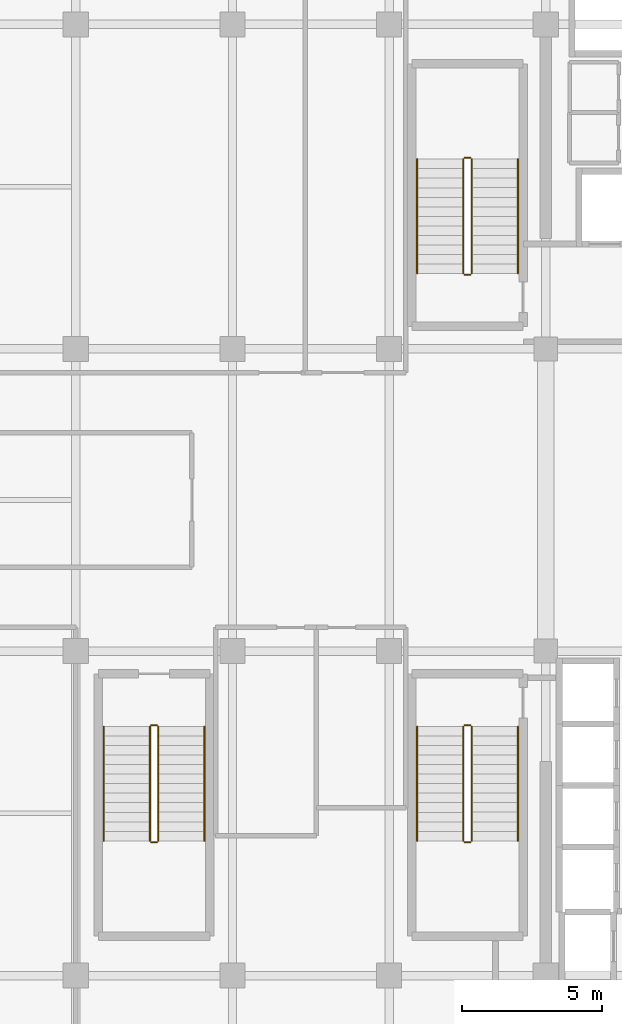
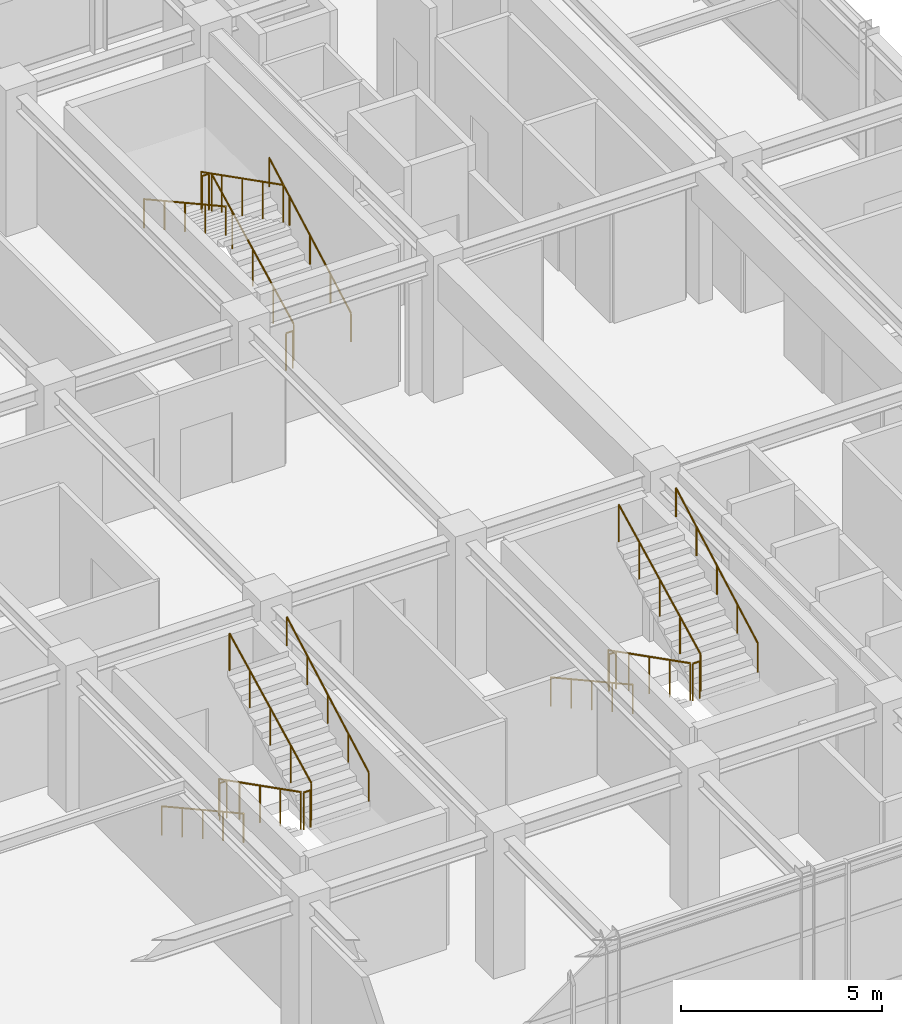
# One storey, part 20 of 20: 18 railings.
"""IFC4 building model written with IfcOpenShell, lengths in metres."""

from ifc_helpers import new_model, si_unit, direction, frame, origin, origin_2d, place, context, subcontext, project, spatial, circle, extrude, material, type_object, element, save


model = new_model("IFC4")

# Units and contexts
model_context = context("Model", 3, precision=1e-05, world=origin(), true_north=direction((0.0, 1.0)))
body_context = subcontext(model_context, "Body", "Model", "MODEL_VIEW")
ifc_project = project(units=[si_unit("LENGTHUNIT", "METRE"), si_unit("AREAUNIT", "SQUARE_METRE"), si_unit("VOLUMEUNIT", "CUBIC_METRE"), si_unit("PLANEANGLEUNIT", "RADIAN"), si_unit("MASSUNIT", "GRAM", prefix="KILO")], contexts=[model_context])

# Site, building, storey
site_placement = place(None, origin())
site = spatial("IfcSite", under=ifc_project, at=site_placement, CompositionType="ELEMENT")
building_placement = place(site_placement, origin())
building = spatial("IfcBuilding", under=site, at=building_placement, Name="Nahalor Promenade Grand Hotel", CompositionType="ELEMENT")
storey_placement = place(building_placement, frame((0.0, 0.0, 347.550048828125)))
storey = spatial("IfcBuildingStorey", under=building, at=storey_placement, Name="L89", CompositionType="ELEMENT", Elevation=347.550048828125)

# Railings
ifc_material = material(Name="Steel S355JR", Category="steel")
railing_type_1 = type_object("IfcRailingType", Name="Steel Stair Guardrail 1150 mm", PredefinedType="GUARDRAIL", material=ifc_material)
railing_1_placement = place(storey_placement, frame((5.75, 8.10009765625, 0.173095703125)))
element("IfcRailing", 1, at=railing_1_placement, inside=storey, type_object=railing_type_1, Name="L89 ST1 stair guard 1", PredefinedType="GUARDRAIL", context=body_context, shape_type="SweptSolid", body=[
    extrude(circle(Radius=0.024048, at=origin_2d()), frame((0.0, 0.0, 1.1259765625), z_axis=(0.0, 0.891172131844, 0.453665329759), x_axis=(-1.0, 0.0, 0.0)), (0.0, 0.0, 1.0), 4.578125),
    extrude(circle(Radius=0.020996, at=origin_2d()), origin(), (0.0, 0.0, 1.0), 1.099853515625),
    extrude(circle(Radius=0.020996, at=origin_2d()), frame((0.0, 1.02001953125, 0.519287109375)), (0.0, 0.0, 1.0), 1.099853515625),
    extrude(circle(Radius=0.020996, at=origin_2d()), frame((0.0, 2.0400390625, 1.03857421875)), (0.0, 0.0, 1.0), 1.099853515625),
    extrude(circle(Radius=0.020996, at=origin_2d()), frame((0.0, 3.059814453125, 1.5576171875)), (0.0, 0.0, 1.0), 1.099853515625),
    extrude(circle(Radius=0.020996, at=origin_2d()), frame((0.0, 4.079833984375, 2.076904296875)), (0.0, 0.0, 1.0), 1.099853515625),
])
railing_2_placement = place(storey_placement, frame((5.699951171875, 12.22998046875, 2.25)))
element("IfcRailing", 2, at=railing_2_placement, inside=storey, type_object=railing_type_1, Name="L89 ST1 stair guard 2", PredefinedType="GUARDRAIL", context=body_context, shape_type="SweptSolid", body=[
    extrude(circle(Radius=0.024048, at=origin_2d()), frame((0.0, 0.0, 1.1259765625), z_axis=(-1.0, 0.0, 0.0), x_axis=(0.0, -1.0, 0.0)), (0.0, 0.0, 1.0), 0.199951171875),
    extrude(circle(Radius=0.020996, at=origin_2d()), origin(), (0.0, 0.0, 1.0), 1.099853515625),
    extrude(circle(Radius=0.020996, at=origin_2d()), frame((-0.199951171875, 0.0, 0.0)), (0.0, 0.0, 1.0), 1.099853515625),
])
railing_3_placement = place(storey_placement, frame((5.449951171875, 12.179931640625, 2.423095703125)))
element("IfcRailing", 3, at=railing_3_placement, inside=storey, type_object=railing_type_1, Name="L89 ST1 stair guard 3", PredefinedType="GUARDRAIL", context=body_context, shape_type="SweptSolid", body=[
    extrude(circle(Radius=0.024048, at=origin_2d()), frame((0.0, 0.0, 1.1259765625), z_axis=(0.0, -0.891172131844, 0.453665329759), x_axis=(1.0, 0.0, 0.0)), (0.0, 0.0, 1.0), 4.578125),
    extrude(circle(Radius=0.020996, at=origin_2d()), origin(), (0.0, 0.0, 1.0), 1.099853515625),
    extrude(circle(Radius=0.020996, at=origin_2d()), frame((0.0, -1.02001953125, 0.519287109375)), (0.0, 0.0, 1.0), 1.099853515625),
    extrude(circle(Radius=0.020996, at=origin_2d()), frame((0.0, -2.0400390625, 1.03857421875)), (0.0, 0.0, 1.0), 1.099853515625),
    extrude(circle(Radius=0.020996, at=origin_2d()), frame((0.0, -3.059814453125, 1.5576171875)), (0.0, 0.0, 1.0), 1.099853515625),
    extrude(circle(Radius=0.020996, at=origin_2d()), frame((0.0, -4.079833984375, 2.076904296875)), (0.0, 0.0, 1.0), 1.099853515625),
])
railing_4_placement = place(storey_placement, frame((5.699951171875, 8.050048828125, 0.0)))
element("IfcRailing", 4, at=railing_4_placement, inside=storey, type_object=railing_type_1, Name="L89 ST1 stair guard 4", PredefinedType="GUARDRAIL", context=body_context, shape_type="SweptSolid", body=[
    extrude(circle(Radius=0.024048, at=origin_2d()), frame((0.0, 0.0, 1.1259765625), z_axis=(-1.0, 0.0, 0.0), x_axis=(0.0, -1.0, 0.0)), (0.0, 0.0, 1.0), 0.199951171875),
    extrude(circle(Radius=0.020996, at=origin_2d()), origin(), (0.0, 0.0, 1.0), 1.099853515625),
    extrude(circle(Radius=0.020996, at=origin_2d()), frame((-0.199951171875, 0.0, 0.0)), (0.0, 0.0, 1.0), 1.099853515625),
])
railing_5_placement = place(storey_placement, frame((5.449951171875, -8.10009765625, 0.173095703125)))
element("IfcRailing", 5, at=railing_5_placement, inside=storey, type_object=railing_type_1, Name="L89 ST2 stair guard 1", PredefinedType="GUARDRAIL", context=body_context, shape_type="SweptSolid", body=[
    extrude(circle(Radius=0.024048, at=origin_2d()), frame((0.0, 0.0, 1.1259765625), z_axis=(0.0, -0.891172131844, 0.453665329759), x_axis=(1.0, 0.0, 0.0)), (0.0, 0.0, 1.0), 4.578125),
    extrude(circle(Radius=0.020996, at=origin_2d()), origin(), (0.0, 0.0, 1.0), 1.099853515625),
    extrude(circle(Radius=0.020996, at=origin_2d()), frame((0.0, -1.02001953125, 0.519287109375)), (0.0, 0.0, 1.0), 1.099853515625),
    extrude(circle(Radius=0.020996, at=origin_2d()), frame((0.0, -2.0400390625, 1.03857421875)), (0.0, 0.0, 1.0), 1.099853515625),
    extrude(circle(Radius=0.020996, at=origin_2d()), frame((0.0, -3.059814453125, 1.5576171875)), (0.0, 0.0, 1.0), 1.099853515625),
    extrude(circle(Radius=0.020996, at=origin_2d()), frame((0.0, -4.079833984375, 2.076904296875)), (0.0, 0.0, 1.0), 1.099853515625),
])
railing_6_placement = place(storey_placement, frame((5.5, -12.22998046875, 2.25)))
element("IfcRailing", 6, at=railing_6_placement, inside=storey, type_object=railing_type_1, Name="L89 ST2 stair guard 2", PredefinedType="GUARDRAIL", context=body_context, shape_type="SweptSolid", body=[
    extrude(circle(Radius=0.024048, at=origin_2d()), frame((0.0, 0.0, 1.1259765625), z_axis=(1.0, 0.0, 0.0), x_axis=(0.0, 1.0, 0.0)), (0.0, 0.0, 1.0), 0.199951171875),
    extrude(circle(Radius=0.020996, at=origin_2d()), origin(), (0.0, 0.0, 1.0), 1.099853515625),
    extrude(circle(Radius=0.020996, at=origin_2d()), frame((0.199951171875, 0.0, 0.0)), (0.0, 0.0, 1.0), 1.099853515625),
])
railing_7_placement = place(storey_placement, frame((5.75, -12.179931640625, 2.423095703125)))
element("IfcRailing", 7, at=railing_7_placement, inside=storey, type_object=railing_type_1, Name="L89 ST2 stair guard 3", PredefinedType="GUARDRAIL", context=body_context, shape_type="SweptSolid", body=[
    extrude(circle(Radius=0.024048, at=origin_2d()), frame((0.0, 0.0, 1.1259765625), z_axis=(0.0, 0.891172131844, 0.453665329759), x_axis=(-1.0, 0.0, 0.0)), (0.0, 0.0, 1.0), 4.578125),
    extrude(circle(Radius=0.020996, at=origin_2d()), origin(), (0.0, 0.0, 1.0), 1.099853515625),
    extrude(circle(Radius=0.020996, at=origin_2d()), frame((0.0, 1.02001953125, 0.519287109375)), (0.0, 0.0, 1.0), 1.099853515625),
    extrude(circle(Radius=0.020996, at=origin_2d()), frame((0.0, 2.0400390625, 1.03857421875)), (0.0, 0.0, 1.0), 1.099853515625),
    extrude(circle(Radius=0.020996, at=origin_2d()), frame((0.0, 3.059814453125, 1.5576171875)), (0.0, 0.0, 1.0), 1.099853515625),
    extrude(circle(Radius=0.020996, at=origin_2d()), frame((0.0, 4.079833984375, 2.076904296875)), (0.0, 0.0, 1.0), 1.099853515625),
])
railing_8_placement = place(storey_placement, frame((5.5, -8.050048828125, 0.0)))
element("IfcRailing", 8, at=railing_8_placement, inside=storey, type_object=railing_type_1, Name="L89 ST2 stair guard 4", PredefinedType="GUARDRAIL", context=body_context, shape_type="SweptSolid", body=[
    extrude(circle(Radius=0.024048, at=origin_2d()), frame((0.0, 0.0, 1.1259765625), z_axis=(1.0, 0.0, 0.0), x_axis=(0.0, 1.0, 0.0)), (0.0, 0.0, 1.0), 0.199951171875),
    extrude(circle(Radius=0.020996, at=origin_2d()), origin(), (0.0, 0.0, 1.0), 1.099853515625),
    extrude(circle(Radius=0.020996, at=origin_2d()), frame((0.199951171875, 0.0, 0.0)), (0.0, 0.0, 1.0), 1.099853515625),
])
railing_9_placement = place(storey_placement, frame((-5.75, -8.10009765625, 0.173095703125)))
element("IfcRailing", 9, at=railing_9_placement, inside=storey, type_object=railing_type_1, Name="L89 ST3 stair guard 1", PredefinedType="GUARDRAIL", context=body_context, shape_type="SweptSolid", body=[
    extrude(circle(Radius=0.024048, at=origin_2d()), frame((0.0, 0.0, 1.1259765625), z_axis=(0.0, -0.891172131844, 0.453665329759), x_axis=(1.0, 0.0, 0.0)), (0.0, 0.0, 1.0), 4.578125),
    extrude(circle(Radius=0.020996, at=origin_2d()), origin(), (0.0, 0.0, 1.0), 1.099853515625),
    extrude(circle(Radius=0.020996, at=origin_2d()), frame((0.0, -1.02001953125, 0.519287109375)), (0.0, 0.0, 1.0), 1.099853515625),
    extrude(circle(Radius=0.020996, at=origin_2d()), frame((0.0, -2.0400390625, 1.03857421875)), (0.0, 0.0, 1.0), 1.099853515625),
    extrude(circle(Radius=0.020996, at=origin_2d()), frame((0.0, -3.059814453125, 1.5576171875)), (0.0, 0.0, 1.0), 1.099853515625),
    extrude(circle(Radius=0.020996, at=origin_2d()), frame((0.0, -4.079833984375, 2.076904296875)), (0.0, 0.0, 1.0), 1.099853515625),
])
railing_10_placement = place(storey_placement, frame((-5.699951171875, -12.22998046875, 2.25)))
element("IfcRailing", 10, at=railing_10_placement, inside=storey, type_object=railing_type_1, Name="L89 ST3 stair guard 2", PredefinedType="GUARDRAIL", context=body_context, shape_type="SweptSolid", body=[
    extrude(circle(Radius=0.024048, at=origin_2d()), frame((0.0, 0.0, 1.1259765625), z_axis=(1.0, 0.0, 0.0), x_axis=(0.0, 1.0, 0.0)), (0.0, 0.0, 1.0), 0.199951171875),
    extrude(circle(Radius=0.020996, at=origin_2d()), origin(), (0.0, 0.0, 1.0), 1.099853515625),
    extrude(circle(Radius=0.020996, at=origin_2d()), frame((0.199951171875, 0.0, 0.0)), (0.0, 0.0, 1.0), 1.099853515625),
])
railing_11_placement = place(storey_placement, frame((-5.449951171875, -12.179931640625, 2.423095703125)))
element("IfcRailing", 11, at=railing_11_placement, inside=storey, type_object=railing_type_1, Name="L89 ST3 stair guard 3", PredefinedType="GUARDRAIL", context=body_context, shape_type="SweptSolid", body=[
    extrude(circle(Radius=0.024048, at=origin_2d()), frame((0.0, 0.0, 1.1259765625), z_axis=(0.0, 0.891172131844, 0.453665329759), x_axis=(-1.0, 0.0, 0.0)), (0.0, 0.0, 1.0), 4.578125),
    extrude(circle(Radius=0.020996, at=origin_2d()), origin(), (0.0, 0.0, 1.0), 1.099853515625),
    extrude(circle(Radius=0.020996, at=origin_2d()), frame((0.0, 1.02001953125, 0.519287109375)), (0.0, 0.0, 1.0), 1.099853515625),
    extrude(circle(Radius=0.020996, at=origin_2d()), frame((0.0, 2.0400390625, 1.03857421875)), (0.0, 0.0, 1.0), 1.099853515625),
    extrude(circle(Radius=0.020996, at=origin_2d()), frame((0.0, 3.059814453125, 1.5576171875)), (0.0, 0.0, 1.0), 1.099853515625),
    extrude(circle(Radius=0.020996, at=origin_2d()), frame((0.0, 4.079833984375, 2.076904296875)), (0.0, 0.0, 1.0), 1.099853515625),
])
railing_12_placement = place(storey_placement, frame((-5.699951171875, -8.050048828125, 0.0)))
element("IfcRailing", 12, at=railing_12_placement, inside=storey, type_object=railing_type_1, Name="L89 ST3 stair guard 4", PredefinedType="GUARDRAIL", context=body_context, shape_type="SweptSolid", body=[
    extrude(circle(Radius=0.024048, at=origin_2d()), frame((0.0, 0.0, 1.1259765625), z_axis=(1.0, 0.0, 0.0), x_axis=(0.0, 1.0, 0.0)), (0.0, 0.0, 1.0), 0.199951171875),
    extrude(circle(Radius=0.020996, at=origin_2d()), origin(), (0.0, 0.0, 1.0), 1.099853515625),
    extrude(circle(Radius=0.020996, at=origin_2d()), frame((0.199951171875, 0.0, 0.0)), (0.0, 0.0, 1.0), 1.099853515625),
])
railing_type_2 = type_object("IfcRailingType", Name="Steel Stair Handrail 900 mm", PredefinedType="HANDRAIL", material=ifc_material)
railing_13_placement = place(storey_placement, frame((7.39990234375, 8.10009765625, 0.173095703125)))
element("IfcRailing", 13, at=railing_13_placement, inside=storey, type_object=railing_type_2, Name="L89 ST1 stair handrail 1", PredefinedType="HANDRAIL", context=body_context, shape_type="SweptSolid", body=[
    extrude(circle(Radius=0.024048, at=origin_2d()), frame((0.0, 0.0, 0.8759765625), z_axis=(0.0, 0.875663268765, 0.482922188076), x_axis=(-1.0, 0.0, 0.0)), (0.0, 0.0, 1.0), 4.6591796875),
    extrude(circle(Radius=0.020996, at=origin_2d()), origin(), (0.0, 0.0, 1.0), 0.849853515625),
    extrude(circle(Radius=0.020996, at=origin_2d()), frame((0.0, 1.02001953125, 0.5625)), (0.0, 0.0, 1.0), 0.849853515625),
    extrude(circle(Radius=0.020996, at=origin_2d()), frame((0.0, 2.0400390625, 1.125)), (0.0, 0.0, 1.0), 0.849853515625),
    extrude(circle(Radius=0.020996, at=origin_2d()), frame((0.0, 3.059814453125, 1.6875)), (0.0, 0.0, 1.0), 0.849853515625),
    extrude(circle(Radius=0.020996, at=origin_2d()), frame((0.0, 4.079833984375, 2.25)), (0.0, 0.0, 1.0), 0.849853515625),
])
for number, where, name in (
    (14, (3.800048828125, 12.179931640625, 2.423095703125), "L89 ST1 stair handrail 2"),
    (15, (3.800048828125, -8.10009765625, 0.173095703125), "L89 ST2 stair handrail 1"),
):
    element("IfcRailing", number, at=place(storey_placement, frame(where)), inside=storey, type_object=railing_type_2, Name=name, PredefinedType="HANDRAIL", context=body_context, shape_type="SweptSolid", body=[
        extrude(circle(Radius=0.024048, at=origin_2d()), frame((0.0, 0.0, 0.8759765625), z_axis=(0.0, -0.875663268765, 0.482922188076), x_axis=(1.0, 0.0, 0.0)), (0.0, 0.0, 1.0), 4.6591796875),
        extrude(circle(Radius=0.020996, at=origin_2d()), origin(), (0.0, 0.0, 1.0), 0.849853515625),
        extrude(circle(Radius=0.020996, at=origin_2d()), frame((0.0, -1.02001953125, 0.5625)), (0.0, 0.0, 1.0), 0.849853515625),
        extrude(circle(Radius=0.020996, at=origin_2d()), frame((0.0, -2.0400390625, 1.125)), (0.0, 0.0, 1.0), 0.849853515625),
        extrude(circle(Radius=0.020996, at=origin_2d()), frame((0.0, -3.059814453125, 1.6875)), (0.0, 0.0, 1.0), 0.849853515625),
        extrude(circle(Radius=0.020996, at=origin_2d()), frame((0.0, -4.079833984375, 2.25)), (0.0, 0.0, 1.0), 0.849853515625),
    ])
railing_14_placement = place(storey_placement, frame((7.39990234375, -12.179931640625, 2.423095703125)))
element("IfcRailing", 16, at=railing_14_placement, inside=storey, type_object=railing_type_2, Name="L89 ST2 stair handrail 2", PredefinedType="HANDRAIL", context=body_context, shape_type="SweptSolid", body=[
    extrude(circle(Radius=0.024048, at=origin_2d()), frame((0.0, 0.0, 0.8759765625), z_axis=(0.0, 0.875663268765, 0.482922188076), x_axis=(-1.0, 0.0, 0.0)), (0.0, 0.0, 1.0), 4.6591796875),
    extrude(circle(Radius=0.020996, at=origin_2d()), origin(), (0.0, 0.0, 1.0), 0.849853515625),
    extrude(circle(Radius=0.020996, at=origin_2d()), frame((0.0, 1.02001953125, 0.5625)), (0.0, 0.0, 1.0), 0.849853515625),
    extrude(circle(Radius=0.020996, at=origin_2d()), frame((0.0, 2.0400390625, 1.125)), (0.0, 0.0, 1.0), 0.849853515625),
    extrude(circle(Radius=0.020996, at=origin_2d()), frame((0.0, 3.059814453125, 1.6875)), (0.0, 0.0, 1.0), 0.849853515625),
    extrude(circle(Radius=0.020996, at=origin_2d()), frame((0.0, 4.079833984375, 2.25)), (0.0, 0.0, 1.0), 0.849853515625),
])
railing_15_placement = place(storey_placement, frame((-7.39990234375, -8.10009765625, 0.173095703125)))
element("IfcRailing", 17, at=railing_15_placement, inside=storey, type_object=railing_type_2, Name="L89 ST3 stair handrail 1", PredefinedType="HANDRAIL", context=body_context, shape_type="SweptSolid", body=[
    extrude(circle(Radius=0.024048, at=origin_2d()), frame((0.0, 0.0, 0.8759765625), z_axis=(0.0, -0.875663268765, 0.482922188076), x_axis=(1.0, 0.0, 0.0)), (0.0, 0.0, 1.0), 4.6591796875),
    extrude(circle(Radius=0.020996, at=origin_2d()), origin(), (0.0, 0.0, 1.0), 0.849853515625),
    extrude(circle(Radius=0.020996, at=origin_2d()), frame((0.0, -1.02001953125, 0.5625)), (0.0, 0.0, 1.0), 0.849853515625),
    extrude(circle(Radius=0.020996, at=origin_2d()), frame((0.0, -2.0400390625, 1.125)), (0.0, 0.0, 1.0), 0.849853515625),
    extrude(circle(Radius=0.020996, at=origin_2d()), frame((0.0, -3.059814453125, 1.6875)), (0.0, 0.0, 1.0), 0.849853515625),
    extrude(circle(Radius=0.020996, at=origin_2d()), frame((0.0, -4.079833984375, 2.25)), (0.0, 0.0, 1.0), 0.849853515625),
])
railing_16_placement = place(storey_placement, frame((-3.800048828125, -12.179931640625, 2.423095703125)))
element("IfcRailing", 18, at=railing_16_placement, inside=storey, type_object=railing_type_2, Name="L89 ST3 stair handrail 2", PredefinedType="HANDRAIL", context=body_context, shape_type="SweptSolid", body=[
    extrude(circle(Radius=0.024048, at=origin_2d()), frame((0.0, 0.0, 0.8759765625), z_axis=(0.0, 0.875663268765, 0.482922188076), x_axis=(-1.0, 0.0, 0.0)), (0.0, 0.0, 1.0), 4.6591796875),
    extrude(circle(Radius=0.020996, at=origin_2d()), origin(), (0.0, 0.0, 1.0), 0.849853515625),
    extrude(circle(Radius=0.020996, at=origin_2d()), frame((0.0, 1.02001953125, 0.5625)), (0.0, 0.0, 1.0), 0.849853515625),
    extrude(circle(Radius=0.020996, at=origin_2d()), frame((0.0, 2.0400390625, 1.125)), (0.0, 0.0, 1.0), 0.849853515625),
    extrude(circle(Radius=0.020996, at=origin_2d()), frame((0.0, 3.059814453125, 1.6875)), (0.0, 0.0, 1.0), 0.849853515625),
    extrude(circle(Radius=0.020996, at=origin_2d()), frame((0.0, 4.079833984375, 2.25)), (0.0, 0.0, 1.0), 0.849853515625),
])

save(model, "model.ifc")
